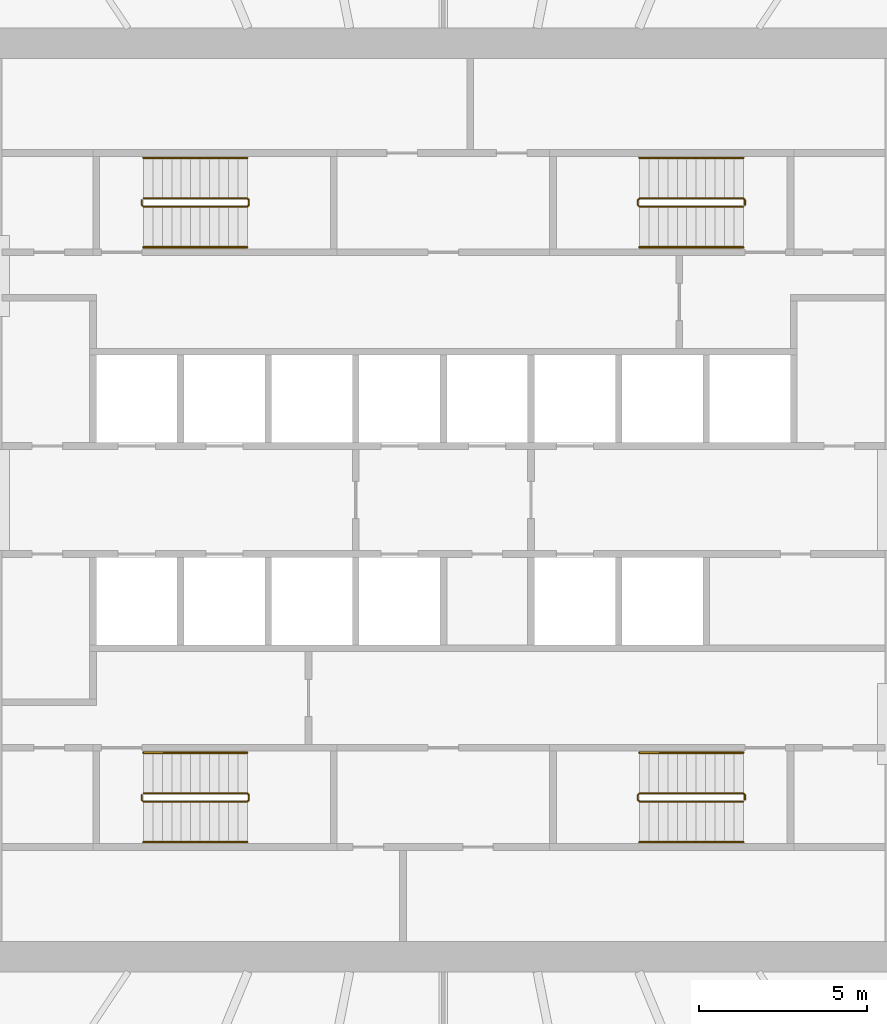
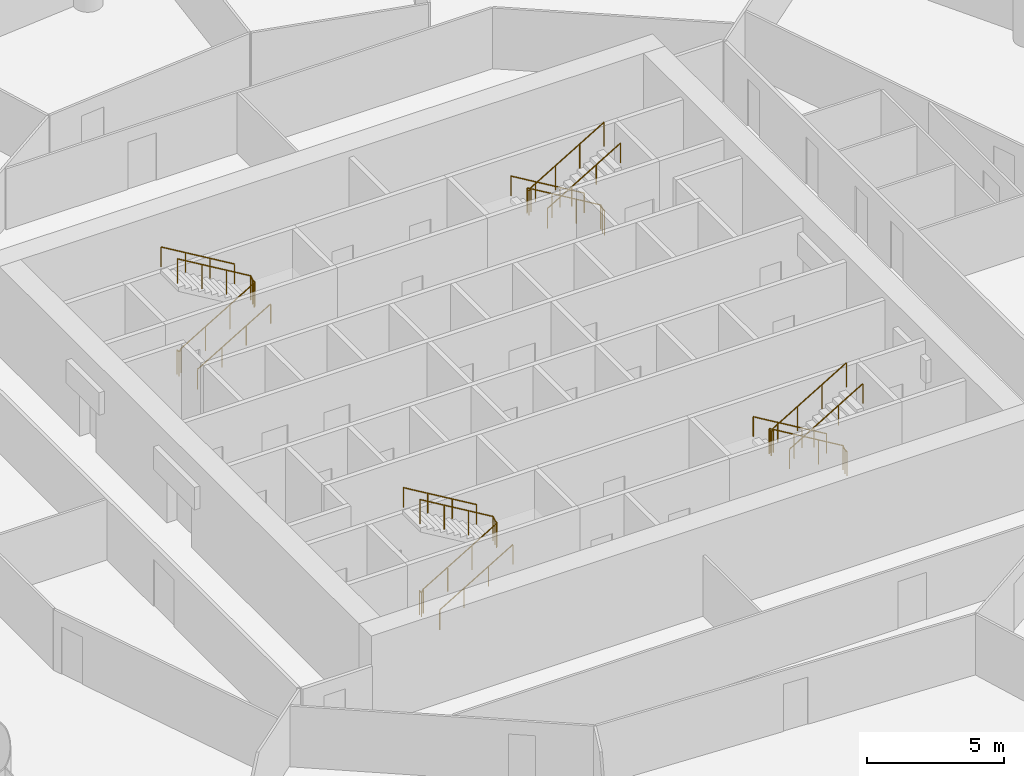
# One storey, part 9 of 9: 12 railings.
"""IFC4 building model written with IfcOpenShell, lengths in metres."""

from ifc_helpers import new_model, si_unit, direction, frame, origin, origin_2d, place, context, subcontext, project, spatial, circle, extrude, material, type_object, element, save


model = new_model("IFC4")

# Units and contexts
model_context = context("Model", 3, precision=1e-05, world=origin(), true_north=direction((0.0, 1.0)))
body_context = subcontext(model_context, "Body", "Model", "MODEL_VIEW")
ifc_project = project(units=[si_unit("LENGTHUNIT", "METRE"), si_unit("AREAUNIT", "SQUARE_METRE"), si_unit("VOLUMEUNIT", "CUBIC_METRE"), si_unit("PLANEANGLEUNIT", "RADIAN"), si_unit("MASSUNIT", "GRAM", prefix="KILO")], contexts=[model_context])

# Site, building, storey
site_placement = place(None, origin())
site = spatial("IfcSite", under=ifc_project, at=site_placement, CompositionType="ELEMENT")
building_placement = place(site_placement, origin())
building = spatial("IfcBuilding", under=site, at=building_placement, Name="Corvane Civic Tower", CompositionType="ELEMENT")
storey_placement = place(building_placement, frame((0.0, 0.0, 180.0)))
storey = spatial("IfcBuildingStorey", under=building, at=storey_placement, Name="L42", CompositionType="ELEMENT", Elevation=180.0)

# Railings
ifc_material_1 = material(Name="Steel ASTM A572 Gr 50", Category="steel")
railing_type_1 = type_object("IfcRailingType", Name="ST-GUARD-1100", PredefinedType="GUARDRAIL", material=ifc_material_1)
railing_1_placement = place(storey_placement, frame((8.949951171875, 8.75, 0.0)))
element("IfcRailing", 1, at=railing_1_placement, inside=storey, type_object=railing_type_1, Name="L42 ST1 stair guard 1", PredefinedType="GUARDRAIL", context=body_context, shape_type="SweptSolid", body=[
    extrude(circle(Radius=0.02392578125, at=origin_2d()), frame((0.0, 0.0, 1.076171875), z_axis=(0.0, 1.0, 0.0), x_axis=(-1.0, 0.0, 0.0)), (0.0, 0.0, 1.0), 0.14990234375),
    extrude(circle(Radius=0.02392578125, at=origin_2d()), frame((0.0, 0.14990234375, 1.076171875), z_axis=(-0.27628659633, 0.27628659633, 0.920506074601), x_axis=(-0.707106781187, -0.707106781187, 0.0)), (0.0, 0.0, 1.0), 0.18115234375),
    extrude(circle(Radius=0.02392578125, at=origin_2d()), frame((-0.050048828125, 0.199951171875, 1.24267578125), z_axis=(-0.859290745958, 0.0, 0.51148745235), x_axis=(0.0, -1.0, 0.0)), (0.0, 0.0, 1.0), 3.584228515625),
    extrude(circle(Radius=0.02392578125, at=origin_2d()), frame((-3.1298828125, 0.199951171875, 3.076171875), z_axis=(-0.707106781187, -0.707106781187, 0.0), x_axis=(0.707106781187, -0.707106781187, 0.0)), (0.0, 0.0, 1.0), 0.07080078125),
    extrude(circle(Radius=0.02392578125, at=origin_2d()), frame((-3.179931640625, 0.14990234375, 3.076171875), z_axis=(0.0, -1.0, 0.0), x_axis=(1.0, 0.0, 0.0)), (0.0, 0.0, 1.0), 0.14990234375),
    extrude(circle(Radius=0.02392578125, at=origin_2d()), frame((-3.179931640625, 0.0, 3.076171875), z_axis=(0.27628659633, -0.27628659633, 0.920506074601), x_axis=(0.707106781187, 0.707106781187, 0.0)), (0.0, 0.0, 1.0), 0.18115234375),
    extrude(circle(Radius=0.02392578125, at=origin_2d()), frame((-3.1298828125, -0.050048828125, 3.24267578125), z_axis=(0.859290745958, 0.0, 0.51148745235), x_axis=(0.0, 1.0, 0.0)), (0.0, 0.0, 1.0), 3.584228515625),
    extrude(circle(Radius=0.02099609375, at=origin_2d()), origin(), (0.0, 0.0, 1.0), 1.052001953125),
    extrude(circle(Radius=0.02099609375, at=origin_2d()), frame((0.0, 0.14990234375, 0.0)), (0.0, 0.0, 1.0), 1.052001953125),
    extrude(circle(Radius=0.02099609375, at=origin_2d()), frame((-0.050048828125, 0.199951171875, 0.166748046875)), (0.0, 0.0, 1.0), 1.052001953125),
    extrude(circle(Radius=0.02099609375, at=origin_2d()), frame((-1.07666015625, 0.199951171875, 0.77783203125)), (0.0, 0.0, 1.0), 1.052001953125),
    extrude(circle(Radius=0.02099609375, at=origin_2d()), frame((-2.103271484375, 0.199951171875, 1.388916015625)), (0.0, 0.0, 1.0), 1.052001953125),
    extrude(circle(Radius=0.02099609375, at=origin_2d()), frame((-3.1298828125, 0.199951171875, 2.0)), (0.0, 0.0, 1.0), 1.052001953125),
    extrude(circle(Radius=0.02099609375, at=origin_2d()), frame((-3.179931640625, 0.14990234375, 2.0)), (0.0, 0.0, 1.0), 1.052001953125),
    extrude(circle(Radius=0.02099609375, at=origin_2d()), frame((-3.179931640625, 0.0, 2.0)), (0.0, 0.0, 1.0), 1.052001953125),
    extrude(circle(Radius=0.02099609375, at=origin_2d()), frame((-3.1298828125, -0.050048828125, 2.166748046875)), (0.0, 0.0, 1.0), 1.052001953125),
    extrude(circle(Radius=0.02099609375, at=origin_2d()), frame((-2.103271484375, -0.050048828125, 2.77783203125)), (0.0, 0.0, 1.0), 1.052001953125),
    extrude(circle(Radius=0.02099609375, at=origin_2d()), frame((-1.07666015625, -0.050048828125, 3.388916015625)), (0.0, 0.0, 1.0), 1.052001953125),
    extrude(circle(Radius=0.02099609375, at=origin_2d()), frame((-0.050048828125, -0.050048828125, 4.0)), (0.0, 0.0, 1.0), 1.052001953125),
])
railing_2_placement = place(storey_placement, frame((8.949951171875, -8.89990234375, 0.0)))
element("IfcRailing", 2, at=railing_2_placement, inside=storey, type_object=railing_type_1, Name="L42 ST2 stair guard 1", PredefinedType="GUARDRAIL", context=body_context, shape_type="SweptSolid", body=[
    extrude(circle(Radius=0.02392578125, at=origin_2d()), frame((0.0, 0.0, 1.076171875), z_axis=(0.0, 1.0, 0.0), x_axis=(-1.0, 0.0, 0.0)), (0.0, 0.0, 1.0), 0.14990234375),
    extrude(circle(Radius=0.02392578125, at=origin_2d()), frame((0.0, 0.14990234375, 1.076171875), z_axis=(-0.27628659633, 0.27628659633, 0.920506074601), x_axis=(-0.707106781187, -0.707106781187, 0.0)), (0.0, 0.0, 1.0), 0.18115234375),
    extrude(circle(Radius=0.02392578125, at=origin_2d()), frame((-0.050048828125, 0.199951171875, 1.24267578125), z_axis=(-0.859290745958, 0.0, 0.51148745235), x_axis=(0.0, -1.0, 0.0)), (0.0, 0.0, 1.0), 3.584228515625),
    extrude(circle(Radius=0.02392578125, at=origin_2d()), frame((-3.1298828125, 0.199951171875, 3.076171875), z_axis=(-0.707106781187, -0.707106781187, 0.0), x_axis=(0.707106781187, -0.707106781187, 0.0)), (0.0, 0.0, 1.0), 0.07080078125),
    extrude(circle(Radius=0.02392578125, at=origin_2d()), frame((-3.179931640625, 0.14990234375, 3.076171875), z_axis=(0.0, -1.0, 0.0), x_axis=(1.0, 0.0, 0.0)), (0.0, 0.0, 1.0), 0.14990234375),
    extrude(circle(Radius=0.02392578125, at=origin_2d()), frame((-3.179931640625, 0.0, 3.076171875), z_axis=(0.27628659633, -0.27628659633, 0.920506074601), x_axis=(0.707106781187, 0.707106781187, 0.0)), (0.0, 0.0, 1.0), 0.18115234375),
    extrude(circle(Radius=0.02392578125, at=origin_2d()), frame((-3.1298828125, -0.050048828125, 3.24267578125), z_axis=(0.859290745958, 0.0, 0.51148745235), x_axis=(0.0, 1.0, 0.0)), (0.0, 0.0, 1.0), 3.584228515625),
    extrude(circle(Radius=0.02099609375, at=origin_2d()), origin(), (0.0, 0.0, 1.0), 1.052001953125),
    extrude(circle(Radius=0.02099609375, at=origin_2d()), frame((0.0, 0.14990234375, 0.0)), (0.0, 0.0, 1.0), 1.052001953125),
    extrude(circle(Radius=0.02099609375, at=origin_2d()), frame((-0.050048828125, 0.199951171875, 0.166748046875)), (0.0, 0.0, 1.0), 1.052001953125),
    extrude(circle(Radius=0.02099609375, at=origin_2d()), frame((-1.07666015625, 0.199951171875, 0.77783203125)), (0.0, 0.0, 1.0), 1.052001953125),
    extrude(circle(Radius=0.02099609375, at=origin_2d()), frame((-2.103271484375, 0.199951171875, 1.388916015625)), (0.0, 0.0, 1.0), 1.052001953125),
    extrude(circle(Radius=0.02099609375, at=origin_2d()), frame((-3.1298828125, 0.199951171875, 2.0)), (0.0, 0.0, 1.0), 1.052001953125),
    extrude(circle(Radius=0.02099609375, at=origin_2d()), frame((-3.179931640625, 0.14990234375, 2.0)), (0.0, 0.0, 1.0), 1.052001953125),
    extrude(circle(Radius=0.02099609375, at=origin_2d()), frame((-3.179931640625, 0.0, 2.0)), (0.0, 0.0, 1.0), 1.052001953125),
    extrude(circle(Radius=0.02099609375, at=origin_2d()), frame((-3.1298828125, -0.050048828125, 2.166748046875)), (0.0, 0.0, 1.0), 1.052001953125),
    extrude(circle(Radius=0.02099609375, at=origin_2d()), frame((-2.103271484375, -0.050048828125, 2.77783203125)), (0.0, 0.0, 1.0), 1.052001953125),
    extrude(circle(Radius=0.02099609375, at=origin_2d()), frame((-1.07666015625, -0.050048828125, 3.388916015625)), (0.0, 0.0, 1.0), 1.052001953125),
    extrude(circle(Radius=0.02099609375, at=origin_2d()), frame((-0.050048828125, -0.050048828125, 4.0)), (0.0, 0.0, 1.0), 1.052001953125),
])
railing_3_placement = place(storey_placement, frame((-8.949951171875, -8.75, 0.0)))
element("IfcRailing", 3, at=railing_3_placement, inside=storey, type_object=railing_type_1, Name="L42 ST3 stair guard 1", PredefinedType="GUARDRAIL", context=body_context, shape_type="SweptSolid", body=[
    extrude(circle(Radius=0.02392578125, at=origin_2d()), frame((0.0, 0.0, 1.076171875), z_axis=(0.0, -1.0, 0.0), x_axis=(1.0, 0.0, 0.0)), (0.0, 0.0, 1.0), 0.14990234375),
    extrude(circle(Radius=0.02392578125, at=origin_2d()), frame((0.0, -0.14990234375, 1.076171875), z_axis=(0.27628659633, -0.27628659633, 0.920506074601), x_axis=(0.707106781187, 0.707106781187, 0.0)), (0.0, 0.0, 1.0), 0.18115234375),
    extrude(circle(Radius=0.02392578125, at=origin_2d()), frame((0.050048828125, -0.199951171875, 1.24267578125), z_axis=(0.859290745958, 0.0, 0.51148745235), x_axis=(0.0, 1.0, 0.0)), (0.0, 0.0, 1.0), 3.584228515625),
    extrude(circle(Radius=0.02392578125, at=origin_2d()), frame((3.1298828125, -0.199951171875, 3.076171875), z_axis=(0.707106781187, 0.707106781187, 0.0), x_axis=(-0.707106781187, 0.707106781187, 0.0)), (0.0, 0.0, 1.0), 0.07080078125),
    extrude(circle(Radius=0.02392578125, at=origin_2d()), frame((3.179931640625, -0.14990234375, 3.076171875), z_axis=(0.0, 1.0, 0.0), x_axis=(-1.0, 0.0, 0.0)), (0.0, 0.0, 1.0), 0.14990234375),
    extrude(circle(Radius=0.02392578125, at=origin_2d()), frame((3.179931640625, 0.0, 3.076171875), z_axis=(-0.27628659633, 0.27628659633, 0.920506074601), x_axis=(-0.707106781187, -0.707106781187, 0.0)), (0.0, 0.0, 1.0), 0.18115234375),
    extrude(circle(Radius=0.02392578125, at=origin_2d()), frame((3.1298828125, 0.050048828125, 3.24267578125), z_axis=(-0.859290745958, 0.0, 0.51148745235), x_axis=(0.0, -1.0, 0.0)), (0.0, 0.0, 1.0), 3.584228515625),
    extrude(circle(Radius=0.02099609375, at=origin_2d()), origin(), (0.0, 0.0, 1.0), 1.052001953125),
    extrude(circle(Radius=0.02099609375, at=origin_2d()), frame((0.0, -0.14990234375, 0.0)), (0.0, 0.0, 1.0), 1.052001953125),
    extrude(circle(Radius=0.02099609375, at=origin_2d()), frame((0.050048828125, -0.199951171875, 0.166748046875)), (0.0, 0.0, 1.0), 1.052001953125),
    extrude(circle(Radius=0.02099609375, at=origin_2d()), frame((1.07666015625, -0.199951171875, 0.77783203125)), (0.0, 0.0, 1.0), 1.052001953125),
    extrude(circle(Radius=0.02099609375, at=origin_2d()), frame((2.103271484375, -0.199951171875, 1.388916015625)), (0.0, 0.0, 1.0), 1.052001953125),
    extrude(circle(Radius=0.02099609375, at=origin_2d()), frame((3.1298828125, -0.199951171875, 2.0)), (0.0, 0.0, 1.0), 1.052001953125),
    extrude(circle(Radius=0.02099609375, at=origin_2d()), frame((3.179931640625, -0.14990234375, 2.0)), (0.0, 0.0, 1.0), 1.052001953125),
    extrude(circle(Radius=0.02099609375, at=origin_2d()), frame((3.179931640625, 0.0, 2.0)), (0.0, 0.0, 1.0), 1.052001953125),
    extrude(circle(Radius=0.02099609375, at=origin_2d()), frame((3.1298828125, 0.050048828125, 2.166748046875)), (0.0, 0.0, 1.0), 1.052001953125),
    extrude(circle(Radius=0.02099609375, at=origin_2d()), frame((2.103271484375, 0.050048828125, 2.77783203125)), (0.0, 0.0, 1.0), 1.052001953125),
    extrude(circle(Radius=0.02099609375, at=origin_2d()), frame((1.07666015625, 0.050048828125, 3.388916015625)), (0.0, 0.0, 1.0), 1.052001953125),
    extrude(circle(Radius=0.02099609375, at=origin_2d()), frame((0.050048828125, 0.050048828125, 4.0)), (0.0, 0.0, 1.0), 1.052001953125),
])
railing_4_placement = place(storey_placement, frame((-8.949951171875, 8.89990234375, 0.0)))
element("IfcRailing", 4, at=railing_4_placement, inside=storey, type_object=railing_type_1, Name="L42 ST4 stair guard 1", PredefinedType="GUARDRAIL", context=body_context, shape_type="SweptSolid", body=[
    extrude(circle(Radius=0.02392578125, at=origin_2d()), frame((0.0, 0.0, 1.076171875), z_axis=(0.0, -1.0, 0.0), x_axis=(1.0, 0.0, 0.0)), (0.0, 0.0, 1.0), 0.14990234375),
    extrude(circle(Radius=0.02392578125, at=origin_2d()), frame((0.0, -0.14990234375, 1.076171875), z_axis=(0.27628659633, -0.27628659633, 0.920506074601), x_axis=(0.707106781187, 0.707106781187, 0.0)), (0.0, 0.0, 1.0), 0.18115234375),
    extrude(circle(Radius=0.02392578125, at=origin_2d()), frame((0.050048828125, -0.199951171875, 1.24267578125), z_axis=(0.859290745958, 0.0, 0.51148745235), x_axis=(0.0, 1.0, 0.0)), (0.0, 0.0, 1.0), 3.584228515625),
    extrude(circle(Radius=0.02392578125, at=origin_2d()), frame((3.1298828125, -0.199951171875, 3.076171875), z_axis=(0.707106781187, 0.707106781187, 0.0), x_axis=(-0.707106781187, 0.707106781187, 0.0)), (0.0, 0.0, 1.0), 0.07080078125),
    extrude(circle(Radius=0.02392578125, at=origin_2d()), frame((3.179931640625, -0.14990234375, 3.076171875), z_axis=(0.0, 1.0, 0.0), x_axis=(-1.0, 0.0, 0.0)), (0.0, 0.0, 1.0), 0.14990234375),
    extrude(circle(Radius=0.02392578125, at=origin_2d()), frame((3.179931640625, 0.0, 3.076171875), z_axis=(-0.27628659633, 0.27628659633, 0.920506074601), x_axis=(-0.707106781187, -0.707106781187, 0.0)), (0.0, 0.0, 1.0), 0.18115234375),
    extrude(circle(Radius=0.02392578125, at=origin_2d()), frame((3.1298828125, 0.050048828125, 3.24267578125), z_axis=(-0.859290745958, 0.0, 0.51148745235), x_axis=(0.0, -1.0, 0.0)), (0.0, 0.0, 1.0), 3.584228515625),
    extrude(circle(Radius=0.02099609375, at=origin_2d()), origin(), (0.0, 0.0, 1.0), 1.052001953125),
    extrude(circle(Radius=0.02099609375, at=origin_2d()), frame((0.0, -0.14990234375, 0.0)), (0.0, 0.0, 1.0), 1.052001953125),
    extrude(circle(Radius=0.02099609375, at=origin_2d()), frame((0.050048828125, -0.199951171875, 0.166748046875)), (0.0, 0.0, 1.0), 1.052001953125),
    extrude(circle(Radius=0.02099609375, at=origin_2d()), frame((1.07666015625, -0.199951171875, 0.77783203125)), (0.0, 0.0, 1.0), 1.052001953125),
    extrude(circle(Radius=0.02099609375, at=origin_2d()), frame((2.103271484375, -0.199951171875, 1.388916015625)), (0.0, 0.0, 1.0), 1.052001953125),
    extrude(circle(Radius=0.02099609375, at=origin_2d()), frame((3.1298828125, -0.199951171875, 2.0)), (0.0, 0.0, 1.0), 1.052001953125),
    extrude(circle(Radius=0.02099609375, at=origin_2d()), frame((3.179931640625, -0.14990234375, 2.0)), (0.0, 0.0, 1.0), 1.052001953125),
    extrude(circle(Radius=0.02099609375, at=origin_2d()), frame((3.179931640625, 0.0, 2.0)), (0.0, 0.0, 1.0), 1.052001953125),
    extrude(circle(Radius=0.02099609375, at=origin_2d()), frame((3.1298828125, 0.050048828125, 2.166748046875)), (0.0, 0.0, 1.0), 1.052001953125),
    extrude(circle(Radius=0.02099609375, at=origin_2d()), frame((2.103271484375, 0.050048828125, 2.77783203125)), (0.0, 0.0, 1.0), 1.052001953125),
    extrude(circle(Radius=0.02099609375, at=origin_2d()), frame((1.07666015625, 0.050048828125, 3.388916015625)), (0.0, 0.0, 1.0), 1.052001953125),
    extrude(circle(Radius=0.02099609375, at=origin_2d()), frame((0.050048828125, 0.050048828125, 4.0)), (0.0, 0.0, 1.0), 1.052001953125),
])
ifc_material_2 = material(Name="Steel ASTM A572 Gr 50", Category="steel")
railing_type_2 = type_object("IfcRailingType", Name="ST-HANDRAIL-900", PredefinedType="HANDRAIL", material=ifc_material_2)
railing_5_placement = place(storey_placement, frame((8.89990234375, 10.14990234375, 0.166748046875)))
element("IfcRailing", 5, at=railing_5_placement, inside=storey, type_object=railing_type_2, Name="L42 ST1 stair handrail 1", PredefinedType="HANDRAIL", context=body_context, shape_type="SweptSolid", body=[
    extrude(circle(Radius=0.02392578125, at=origin_2d()), frame((0.0, 0.0, 0.8759765625), z_axis=(-0.859290745958, 0.0, 0.51148745235), x_axis=(0.0, -1.0, 0.0)), (0.0, 0.0, 1.0), 3.584228515625),
    extrude(circle(Radius=0.02099609375, at=origin_2d()), origin(), (0.0, 0.0, 1.0), 0.851806640625),
    extrude(circle(Radius=0.02099609375, at=origin_2d()), frame((-1.026611328125, 0.0, 0.611083984375)), (0.0, 0.0, 1.0), 0.851806640625),
    extrude(circle(Radius=0.02099609375, at=origin_2d()), frame((-2.05322265625, 0.0, 1.22216796875)), (0.0, 0.0, 1.0), 0.851806640625),
    extrude(circle(Radius=0.02099609375, at=origin_2d()), frame((-3.079833984375, 0.0, 1.833251953125)), (0.0, 0.0, 1.0), 0.851806640625),
])
railing_6_placement = place(storey_placement, frame((5.820068359375, 7.5, 2.166748046875)))
element("IfcRailing", 6, at=railing_6_placement, inside=storey, type_object=railing_type_2, Name="L42 ST1 stair handrail 2", PredefinedType="HANDRAIL", context=body_context, shape_type="SweptSolid", body=[
    extrude(circle(Radius=0.02392578125, at=origin_2d()), frame((0.0, 0.0, 0.8759765625), z_axis=(0.859290745958, 0.0, 0.51148745235), x_axis=(0.0, 1.0, 0.0)), (0.0, 0.0, 1.0), 3.584228515625),
    extrude(circle(Radius=0.02099609375, at=origin_2d()), origin(), (0.0, 0.0, 1.0), 0.851806640625),
    extrude(circle(Radius=0.02099609375, at=origin_2d()), frame((1.026611328125, 0.0, 0.611083984375)), (0.0, 0.0, 1.0), 0.851806640625),
    extrude(circle(Radius=0.02099609375, at=origin_2d()), frame((2.05322265625, 0.0, 1.22216796875)), (0.0, 0.0, 1.0), 0.851806640625),
    extrude(circle(Radius=0.02099609375, at=origin_2d()), frame((3.079833984375, 0.0, 1.833251953125)), (0.0, 0.0, 1.0), 0.851806640625),
])
railing_7_placement = place(storey_placement, frame((8.89990234375, -7.5, 0.166748046875)))
element("IfcRailing", 7, at=railing_7_placement, inside=storey, type_object=railing_type_2, Name="L42 ST2 stair handrail 1", PredefinedType="HANDRAIL", context=body_context, shape_type="SweptSolid", body=[
    extrude(circle(Radius=0.02392578125, at=origin_2d()), frame((0.0, 0.0, 0.8759765625), z_axis=(-0.859290745958, 0.0, 0.51148745235), x_axis=(0.0, -1.0, 0.0)), (0.0, 0.0, 1.0), 3.584228515625),
    extrude(circle(Radius=0.02099609375, at=origin_2d()), origin(), (0.0, 0.0, 1.0), 0.851806640625),
    extrude(circle(Radius=0.02099609375, at=origin_2d()), frame((-1.026611328125, 0.0, 0.611083984375)), (0.0, 0.0, 1.0), 0.851806640625),
    extrude(circle(Radius=0.02099609375, at=origin_2d()), frame((-2.05322265625, 0.0, 1.22216796875)), (0.0, 0.0, 1.0), 0.851806640625),
    extrude(circle(Radius=0.02099609375, at=origin_2d()), frame((-3.079833984375, 0.0, 1.833251953125)), (0.0, 0.0, 1.0), 0.851806640625),
])
for number, where, name in (
    (8, (5.820068359375, -10.14990234375, 2.166748046875), "L42 ST2 stair handrail 2"),
    (9, (-8.89990234375, -10.14990234375, 0.166748046875), "L42 ST3 stair handrail 1"),
):
    element("IfcRailing", number, at=place(storey_placement, frame(where)), inside=storey, type_object=railing_type_2, Name=name, PredefinedType="HANDRAIL", context=body_context, shape_type="SweptSolid", body=[
        extrude(circle(Radius=0.02392578125, at=origin_2d()), frame((0.0, 0.0, 0.8759765625), z_axis=(0.859290745958, 0.0, 0.51148745235), x_axis=(0.0, 1.0, 0.0)), (0.0, 0.0, 1.0), 3.584228515625),
        extrude(circle(Radius=0.02099609375, at=origin_2d()), origin(), (0.0, 0.0, 1.0), 0.851806640625),
        extrude(circle(Radius=0.02099609375, at=origin_2d()), frame((1.026611328125, 0.0, 0.611083984375)), (0.0, 0.0, 1.0), 0.851806640625),
        extrude(circle(Radius=0.02099609375, at=origin_2d()), frame((2.05322265625, 0.0, 1.22216796875)), (0.0, 0.0, 1.0), 0.851806640625),
        extrude(circle(Radius=0.02099609375, at=origin_2d()), frame((3.079833984375, 0.0, 1.833251953125)), (0.0, 0.0, 1.0), 0.851806640625),
    ])
railing_8_placement = place(storey_placement, frame((-5.820068359375, -7.5, 2.166748046875)))
element("IfcRailing", 10, at=railing_8_placement, inside=storey, type_object=railing_type_2, Name="L42 ST3 stair handrail 2", PredefinedType="HANDRAIL", context=body_context, shape_type="SweptSolid", body=[
    extrude(circle(Radius=0.02392578125, at=origin_2d()), frame((0.0, 0.0, 0.8759765625), z_axis=(-0.859290745958, 0.0, 0.51148745235), x_axis=(0.0, -1.0, 0.0)), (0.0, 0.0, 1.0), 3.584228515625),
    extrude(circle(Radius=0.02099609375, at=origin_2d()), origin(), (0.0, 0.0, 1.0), 0.851806640625),
    extrude(circle(Radius=0.02099609375, at=origin_2d()), frame((-1.026611328125, 0.0, 0.611083984375)), (0.0, 0.0, 1.0), 0.851806640625),
    extrude(circle(Radius=0.02099609375, at=origin_2d()), frame((-2.05322265625, 0.0, 1.22216796875)), (0.0, 0.0, 1.0), 0.851806640625),
    extrude(circle(Radius=0.02099609375, at=origin_2d()), frame((-3.079833984375, 0.0, 1.833251953125)), (0.0, 0.0, 1.0), 0.851806640625),
])
railing_9_placement = place(storey_placement, frame((-8.89990234375, 7.5, 0.166748046875)))
element("IfcRailing", 11, at=railing_9_placement, inside=storey, type_object=railing_type_2, Name="L42 ST4 stair handrail 1", PredefinedType="HANDRAIL", context=body_context, shape_type="SweptSolid", body=[
    extrude(circle(Radius=0.02392578125, at=origin_2d()), frame((0.0, 0.0, 0.8759765625), z_axis=(0.859290745958, 0.0, 0.51148745235), x_axis=(0.0, 1.0, 0.0)), (0.0, 0.0, 1.0), 3.584228515625),
    extrude(circle(Radius=0.02099609375, at=origin_2d()), origin(), (0.0, 0.0, 1.0), 0.851806640625),
    extrude(circle(Radius=0.02099609375, at=origin_2d()), frame((1.026611328125, 0.0, 0.611083984375)), (0.0, 0.0, 1.0), 0.851806640625),
    extrude(circle(Radius=0.02099609375, at=origin_2d()), frame((2.05322265625, 0.0, 1.22216796875)), (0.0, 0.0, 1.0), 0.851806640625),
    extrude(circle(Radius=0.02099609375, at=origin_2d()), frame((3.079833984375, 0.0, 1.833251953125)), (0.0, 0.0, 1.0), 0.851806640625),
])
railing_10_placement = place(storey_placement, frame((-5.820068359375, 10.14990234375, 2.166748046875)))
element("IfcRailing", 12, at=railing_10_placement, inside=storey, type_object=railing_type_2, Name="L42 ST4 stair handrail 2", PredefinedType="HANDRAIL", context=body_context, shape_type="SweptSolid", body=[
    extrude(circle(Radius=0.02392578125, at=origin_2d()), frame((0.0, 0.0, 0.8759765625), z_axis=(-0.859290745958, 0.0, 0.51148745235), x_axis=(0.0, -1.0, 0.0)), (0.0, 0.0, 1.0), 3.584228515625),
    extrude(circle(Radius=0.02099609375, at=origin_2d()), origin(), (0.0, 0.0, 1.0), 0.851806640625),
    extrude(circle(Radius=0.02099609375, at=origin_2d()), frame((-1.026611328125, 0.0, 0.611083984375)), (0.0, 0.0, 1.0), 0.851806640625),
    extrude(circle(Radius=0.02099609375, at=origin_2d()), frame((-2.05322265625, 0.0, 1.22216796875)), (0.0, 0.0, 1.0), 0.851806640625),
    extrude(circle(Radius=0.02099609375, at=origin_2d()), frame((-3.079833984375, 0.0, 1.833251953125)), (0.0, 0.0, 1.0), 0.851806640625),
])

save(model, "model.ifc")
